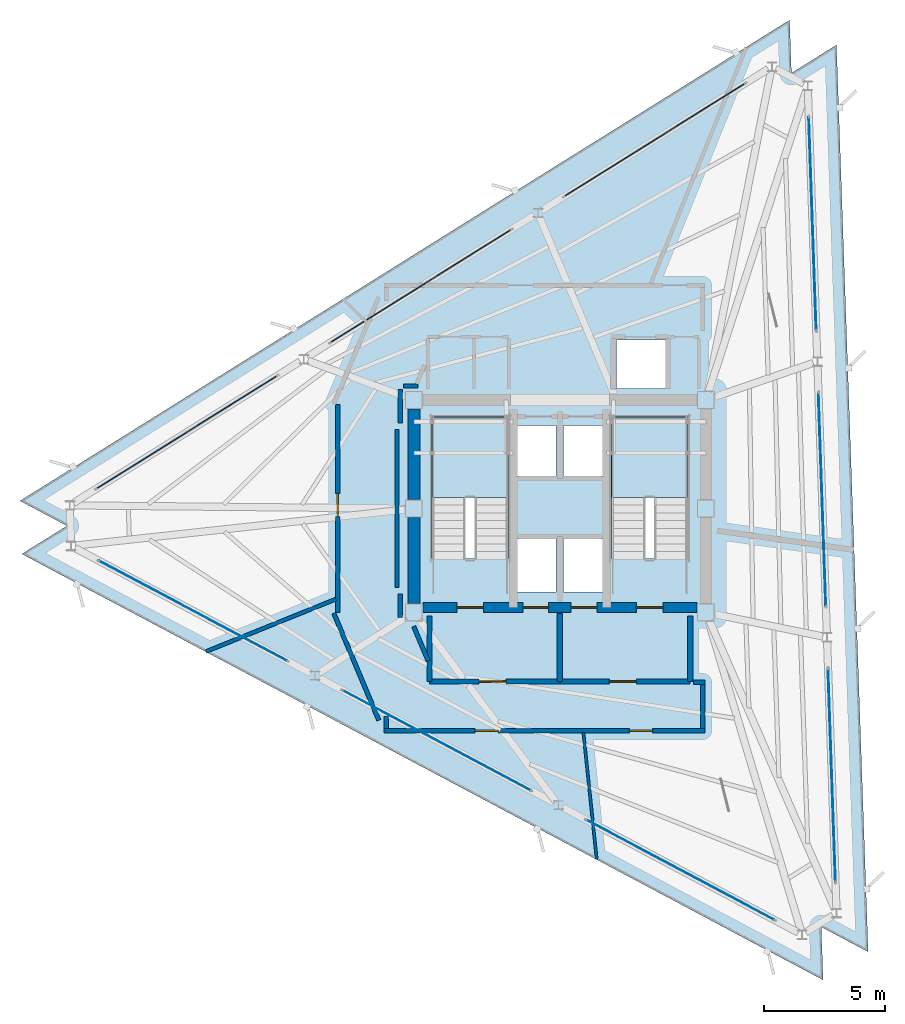
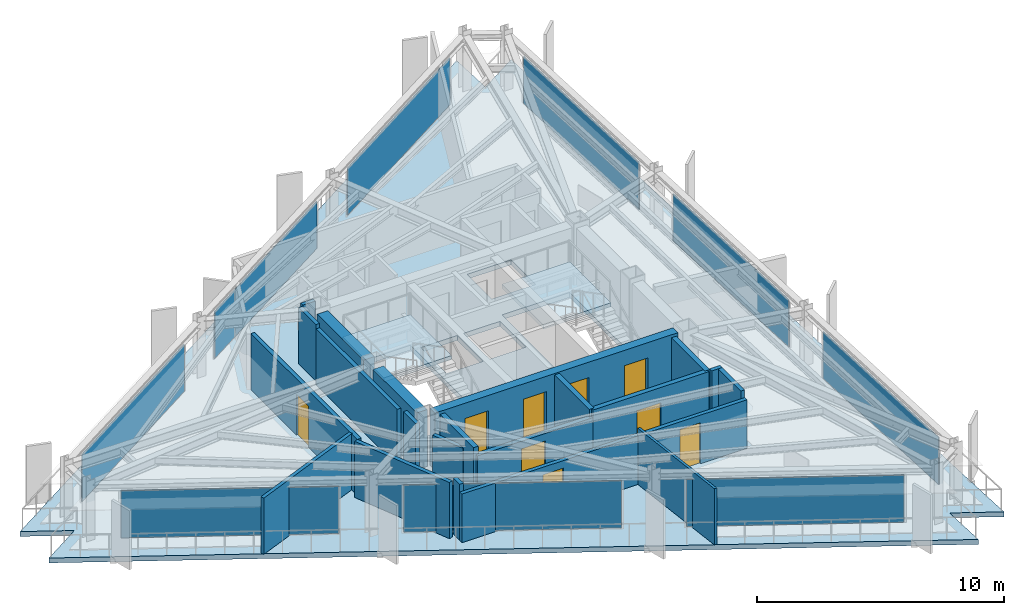
# One storey, part 8 of 12: 21 walls, 9 doors, 9 plates, 3 slabs, 9 openings, 11 elements without a shape of their own.
"""IFC4 building model written with IfcOpenShell, lengths in metres."""

import ifcopenshell
import ifcopenshell.guid

model = None  # the IFC model being written
_history = None  # IfcOwnerHistory: only IFC2X3 demands one
_inside = {}  # id of a spatial element -> (the spatial element, [elements in it])
_under = {}  # id of a project, library or spatial element -> (it, [spatial elements below it])
_declared = {}  # id of a project -> (the project, [libraries it declares])
_typed = {}  # id of a type object -> (the type object, [elements of that type])
_made_of = {}  # id of a material, layer set ... -> (it, [elements and type objects made of it])


def new_model(schema):
    """Start an empty IFC model of exactly this schema.

    Asked for "IFC4X3", IfcOpenShell would pick the latest addendum, in which some entities
    have other attributes; the version numbers below select the first issue.
    IFC2X3 requires an IfcOwnerHistory on every rooted entity: one is made here for all.
    """
    global model, _history
    if schema == "IFC4X3":
        model = ifcopenshell.file(schema_version=(4, 3, 0, 0))
    else:
        model = ifcopenshell.file(schema=schema)
    _inside.clear()
    _under.clear()
    _declared.clear()
    _typed.clear()
    _made_of.clear()
    _history = None
    if model.schema == "IFC2X3":
        org = make("IfcOrganization", Name="unknown")
        user = make(
            "IfcPersonAndOrganization",
            ThePerson=make("IfcPerson", FamilyName="unknown"),
            TheOrganization=org,
        )
        app = make(
            "IfcApplication",
            ApplicationDeveloper=org,
            Version="unknown",
            ApplicationFullName="unknown",
            ApplicationIdentifier="unknown",
        )
        _history = make(
            "IfcOwnerHistory",
            OwningUser=user,
            OwningApplication=app,
            ChangeAction="ADDED",
            CreationDate=0,
        )
    return model


def make(cls, **values):
    """One entity of the class cls with the attributes given. An attribute that is None is left unset."""
    return model.create_entity(
        cls, **{name: value for name, value in values.items() if value is not None}
    )


def rooted(cls, **values):
    """An entity with a GlobalId (a new one), such as an element, a storey or a relation."""
    return make(cls, GlobalId=ifcopenshell.guid.new(), OwnerHistory=_history, **values)


def si_unit(unit_type, name, prefix=None):
    """IfcSIUnit, for example si_unit("LENGTHUNIT", "METRE", prefix="MILLI")."""
    return make("IfcSIUnit", UnitType=unit_type, Prefix=prefix, Name=name)


def assignment(units):
    """IfcUnitAssignment: the units of a project."""
    return None if units is None else make("IfcUnitAssignment", Units=units)


def point(xyz):
    """IfcCartesianPoint."""
    return None if xyz is None else make("IfcCartesianPoint", Coordinates=xyz)


def direction(xyz):
    """IfcDirection."""
    return None if xyz is None else make("IfcDirection", DirectionRatios=xyz)


def frame(location, z_axis=None, x_axis=None):
    """IfcAxis2Placement3D, a coordinate frame: its origin and axes. An axis left out is left unset."""
    return make(
        "IfcAxis2Placement3D",
        Location=point(location),
        Axis=direction(z_axis),
        RefDirection=direction(x_axis),
    )


def frame_2d(location, x_axis=None):
    """IfcAxis2Placement2D, a coordinate frame in the plane: its origin and x axis."""
    return make(
        "IfcAxis2Placement2D", Location=point(location), RefDirection=direction(x_axis)
    )


def origin():
    """The frame at (0, 0, 0) with its axes left unset."""
    return frame((0.0, 0.0, 0.0))


def origin_2d():
    """The frame at (0, 0) in the plane with its x axis left unset."""
    return frame_2d((0.0, 0.0))


def place(relative_to, where):
    """IfcLocalPlacement: puts the frame where relative to a parent placement (None: the world)."""
    return make(
        "IfcLocalPlacement", PlacementRelTo=relative_to, RelativePlacement=where
    )


def context(
    kind, dimensions, precision=None, world=None, true_north=None, identifier=None
):
    """IfcGeometricRepresentationContext, for example the 3D "Model" context."""
    return make(
        "IfcGeometricRepresentationContext",
        ContextIdentifier=identifier,
        ContextType=kind,
        CoordinateSpaceDimension=dimensions,
        Precision=precision,
        WorldCoordinateSystem=world,
        TrueNorth=true_north,
    )


def subcontext(parent, identifier, kind, view, scale=None):
    """IfcGeometricRepresentationSubContext, for example "Body" below "Model"."""
    return make(
        "IfcGeometricRepresentationSubContext",
        ContextIdentifier=identifier,
        ContextType=kind,
        ParentContext=parent,
        TargetScale=scale,
        TargetView=view,
    )


def project(units=None, contexts=None):
    """IfcProject with its units and contexts."""
    return rooted(
        "IfcProject",
        Name="project",
        RepresentationContexts=contexts,
        UnitsInContext=assignment(units),
    )


def spatial(cls, under=None, at=None, **own):
    """A site, building, storey or space (cls), placed at a placement, below another one or the project."""
    s = rooted(cls, ObjectPlacement=at, **own)
    if under is not None:
        _under.setdefault(under.id(), (under, []))[1].append(s)
    return s


def polyline(points):
    """IfcPolyline through the points."""
    return make("IfcPolyline", Points=[point(p) for p in points])


def profile(cls, at=None, kind="AREA", **sizes):
    """A parametric profile (cls). Its sizes go by their IFC names, for example OverallWidth=200.0."""
    return make(cls, ProfileType=kind, Position=at, **sizes)


def rectangle(**sizes):
    """IfcRectangleProfileDef."""
    return profile("IfcRectangleProfileDef", **sizes)


def outline(outer, holes=None, kind="AREA"):
    """IfcArbitraryClosedProfileDef: a profile drawn as a closed curve; with holes, ...WithVoids."""
    if holes is None:
        return make("IfcArbitraryClosedProfileDef", ProfileType=kind, OuterCurve=outer)
    return make(
        "IfcArbitraryProfileDefWithVoids",
        ProfileType=kind,
        OuterCurve=outer,
        InnerCurves=holes,
    )


def extrude(swept, where, along, depth):
    """IfcExtrudedAreaSolid: the profile swept, set in the frame where, extruded along a direction by depth."""
    return make(
        "IfcExtrudedAreaSolid",
        SweptArea=swept,
        Position=where,
        ExtrudedDirection=direction(along),
        Depth=depth,
    )


def shape(context_of_items, identifier, shape_type, items):
    """IfcShapeRepresentation: the items that make up one representation, for example the "Body"."""
    return make(
        "IfcShapeRepresentation",
        ContextOfItems=context_of_items,
        RepresentationIdentifier=identifier,
        RepresentationType=shape_type,
        Items=items,
    )


def material(Name=None, Category=None):
    """IfcMaterial."""
    return make("IfcMaterial", Name=Name, Category=Category)


def layer(
    of_material, thickness, ventilated=None, Name=None, Category=None, Priority=None
):
    """IfcMaterialLayer: one layer of a wall or slab, of a material (None: an air gap)."""
    return make(
        "IfcMaterialLayer",
        Material=of_material,
        LayerThickness=thickness,
        IsVentilated=ventilated,
        Name=Name,
        Category=Category,
        Priority=Priority,
    )


def layer_set(layers, Name=None):
    """IfcMaterialLayerSet."""
    return make("IfcMaterialLayerSet", MaterialLayers=layers, LayerSetName=Name)


def made_of(thing, what):
    """Note that an element or type object is made of a material, layer set ...; save() writes the relation."""
    if what is not None:
        _made_of.setdefault(what.id(), (what, []))[1].append(thing)
    return thing


def type_object(cls, material=None, **own):
    """A type object (cls), such as IfcWallType, which elements share."""
    return made_of(rooted(cls, **own), material)


def element(
    cls,
    number,
    at=None,
    inside=None,
    cuts=None,
    type_object=None,
    material=None,
    context=None,
    identifier="Body",
    shape_type=None,
    held_by="IfcProductDefinitionShape",
    body=None,
    shapes=None,
    **own,
):
    """One element of the class cls, such as IfcWall. Its Tag is "e" and its number.

    at: its placement. inside: the storey or other place that contains it. cuts: it is an
    opening in that element (IfcRelVoidsElement). A single representation is given by context,
    identifier, shape_type and body (its items); several are given by shapes. held_by: the class
    of the entity that holds the representations. save() writes the other relations.
    """
    e = rooted(cls, Tag="e%d" % number, ObjectPlacement=at, **own)
    if body is not None:
        shapes = [shape(context, identifier, shape_type, body)]
    if shapes is not None:
        e.Representation = make(held_by, Representations=shapes)
    if inside is not None:
        _inside.setdefault(inside.id(), (inside, []))[1].append(e)
    if cuts is not None:
        rooted(
            "IfcRelVoidsElement", RelatingBuildingElement=cuts, RelatedOpeningElement=e
        )
    if type_object is not None:
        _typed.setdefault(type_object.id(), (type_object, []))[1].append(e)
    return made_of(e, material)


def fill(opening, filler):
    """IfcRelFillsElement: the door or window that sits in an opening."""
    return rooted(
        "IfcRelFillsElement",
        RelatingOpeningElement=opening,
        RelatedBuildingElement=filler,
    )


def aggregate(whole, parts):
    """IfcRelAggregates: a whole, such as a stair, and the parts it consists of."""
    return rooted("IfcRelAggregates", RelatingObject=whole, RelatedObjects=parts)


def save(model, path):
    """Write the relations noted so far, then the file.

    IfcRelAggregates (storeys below a building ...), IfcRelContainedInSpatialStructure (elements
    in a storey), IfcRelDefinesByType, IfcRelAssociatesMaterial and IfcRelDeclares: one each for
    every whole, place, type object, material and project.
    """
    for whole, parts in _under.values():
        aggregate(whole, parts)
    for where, things in _inside.values():
        rooted(
            "IfcRelContainedInSpatialStructure",
            RelatedElements=things,
            RelatingStructure=where,
        )
    for kind, things in _typed.values():
        rooted("IfcRelDefinesByType", RelatedObjects=things, RelatingType=kind)
    for what, things in _made_of.values():
        rooted("IfcRelAssociatesMaterial", RelatedObjects=things, RelatingMaterial=what)
    for by, libraries in _declared.values():
        rooted("IfcRelDeclares", RelatingContext=by, RelatedDefinitions=libraries)
    model.write(path)


model = new_model("IFC4")

# Units and contexts
model_context = context("Model", 3, precision=1e-05, world=origin(), true_north=direction((0.0, 1.0)))
body_context = subcontext(model_context, "Body", "Model", "MODEL_VIEW")
ifc_project = project(units=[si_unit("LENGTHUNIT", "METRE"), si_unit("AREAUNIT", "SQUARE_METRE"), si_unit("VOLUMEUNIT", "CUBIC_METRE"), si_unit("PLANEANGLEUNIT", "RADIAN"), si_unit("MASSUNIT", "GRAM", prefix="KILO")], contexts=[model_context])

# Site, building, storey
site_placement = place(None, origin())
site = spatial("IfcSite", under=ifc_project, at=site_placement, CompositionType="ELEMENT")
building_placement = place(site_placement, origin())
building = spatial("IfcBuilding", under=site, at=building_placement, Name="Rocaltana Carrier Exchange", CompositionType="ELEMENT")
storey_placement = place(building_placement, frame((0.0, 0.0, 205.760009765625)))
storey = spatial("IfcBuildingStorey", under=building, at=storey_placement, Name="L65", CompositionType="ELEMENT", Elevation=205.760009765625)

# Curtain wall, plate
ifc_material_1 = material(Name="Aluminium 6063-T6", Category="aluminium")
ifc_layer_1 = layer(ifc_material_1, 0.1201171875)
ifc_layer_set_1 = layer_set([ifc_layer_1], Name="Aluminium 6063-T6")
curtain_wall_type = type_object("IfcCurtainWallType", Name="High-Altitude Thermal Curtain Wall CW-05", PredefinedType="NOTDEFINED", material=ifc_layer_set_1)
curtain_wall_1_placement = place(storey_placement, origin())
curtain_wall_1 = element("IfcCurtainWall", 1, at=curtain_wall_1_placement, inside=storey, type_object=curtain_wall_type, Name="L65 CW-05 Run CW-L65-F1S1", PredefinedType="NOTDEFINED")
ifc_material_2 = material(Name="Tempered Laminated Glass", Category="glass")
ifc_layer_2 = layer(ifc_material_2, 0.035888671875)
ifc_layer_set_2 = layer_set([ifc_layer_2], Name="Tempered Laminated Glass")
plate_type = type_object("IfcPlateType", Name="CW-05 Stone-Insulated Vision Panel", PredefinedType="CURTAIN_PANEL", material=ifc_layer_set_2)
plate_1_placement = place(storey_placement, frame((11.266845703125, -11.046875, 0.06005859375), z_axis=(0.0, 0.0, 1.0), x_axis=(-0.034914127567, 0.999390315991, 0.0)))
plate_1 = element("IfcPlate", 2, at=plate_1_placement, type_object=plate_type, Name="CW-05 panel 1.1", PredefinedType="CURTAIN_PANEL", context=body_context, shape_type="SweptSolid", body=[
    extrude(rectangle(XDim=8.813232421875, YDim=0.035888671875, at=origin_2d()), origin(), (0.0, 0.0, 1.0), 2.327880859375),
])
aggregate(curtain_wall_1, [plate_1])

curtain_wall_2_placement = place(storey_placement, origin())
curtain_wall_2 = element("IfcCurtainWall", 3, at=curtain_wall_2_placement, inside=storey, type_object=curtain_wall_type, Name="L65 CW-05 Run CW-L65-F1S2", PredefinedType="NOTDEFINED")
plate_2_placement = place(storey_placement, frame((10.86767578125, 0.37939453125, 0.06005859375), z_axis=(0.0, 0.0, 1.0), x_axis=(-0.034902556738, 0.999390720156, 0.0)))
plate_2 = element("IfcPlate", 4, at=plate_2_placement, type_object=plate_type, Name="CW-05 panel 1.1", PredefinedType="CURTAIN_PANEL", context=body_context, shape_type="SweptSolid", body=[
    extrude(rectangle(XDim=8.8134765625, YDim=0.035888671875, at=origin_2d()), origin(), (0.0, 0.0, 1.0), 2.327880859375),
])
aggregate(curtain_wall_2, [plate_2])

curtain_wall_3_placement = place(storey_placement, origin())
curtain_wall_3 = element("IfcCurtainWall", 5, at=curtain_wall_3_placement, inside=storey, type_object=curtain_wall_type, Name="L65 CW-05 Run CW-L65-F1S3", PredefinedType="NOTDEFINED")
plate_3_placement = place(storey_placement, frame((10.46875, 11.805908203125, 0.06005859375), z_axis=(0.0, 0.0, 1.0), x_axis=(-0.034902556738, 0.999390720156, 0.0)))
plate_3 = element("IfcPlate", 6, at=plate_3_placement, type_object=plate_type, Name="CW-05 panel 1.1", PredefinedType="CURTAIN_PANEL", context=body_context, shape_type="SweptSolid", body=[
    extrude(rectangle(XDim=8.8134765625, YDim=0.035888671875, at=origin_2d()), origin(), (0.0, 0.0, 1.0), 2.327880859375),
])
aggregate(curtain_wall_3, [plate_3])

curtain_wall_4_placement = place(storey_placement, origin())
curtain_wall_4 = element("IfcCurtainWall", 7, at=curtain_wall_4_placement, inside=storey, type_object=curtain_wall_type, Name="L65 CW-05 Run CW-L65-F2S1", PredefinedType="NOTDEFINED")
plate_4_placement = place(storey_placement, frame((3.93359375, 15.28076171875, 0.06005859375), z_axis=(0.0, 0.0, 1.0), x_axis=(-0.848042322807, -0.529928503412, 0.0)))
plate_4 = element("IfcPlate", 8, at=plate_4_placement, type_object=plate_type, Name="CW-05 panel 1.1", PredefinedType="CURTAIN_PANEL", context=body_context, shape_type="SweptSolid", body=[
    extrude(rectangle(XDim=8.813232421875, YDim=0.035888671875, at=origin_2d()), origin(), (0.0, 0.0, 1.0), 2.327880859375),
])
aggregate(curtain_wall_4, [plate_4])

curtain_wall_5_placement = place(storey_placement, origin())
curtain_wall_5 = element("IfcCurtainWall", 9, at=curtain_wall_5_placement, inside=storey, type_object=curtain_wall_type, Name="L65 CW-05 Run CW-L65-F2S2", PredefinedType="NOTDEFINED")
plate_5_placement = place(storey_placement, frame((-5.762451171875, 9.221923828125, 0.06005859375), z_axis=(0.0, 0.0, 1.0), x_axis=(-0.848047353446, -0.529920452816, 0.0)))
plate_5 = element("IfcPlate", 10, at=plate_5_placement, type_object=plate_type, Name="CW-05 panel 1.1", PredefinedType="CURTAIN_PANEL", context=body_context, shape_type="SweptSolid", body=[
    extrude(rectangle(XDim=8.813232421875, YDim=0.035888671875, at=origin_2d()), origin(), (0.0, 0.0, 1.0), 2.327880859375),
])
aggregate(curtain_wall_5, [plate_5])

curtain_wall_6_placement = place(storey_placement, origin())
curtain_wall_6 = element("IfcCurtainWall", 11, at=curtain_wall_6_placement, inside=storey, type_object=curtain_wall_type, Name="L65 CW-05 Run CW-L65-F2S3", PredefinedType="NOTDEFINED")
plate_6_placement = place(storey_placement, frame((-15.45849609375, 3.163330078125, 0.06005859375), z_axis=(0.0, 0.0, 1.0), x_axis=(-0.848050496896, -0.529915422228, 0.0)))
plate_6 = element("IfcPlate", 12, at=plate_6_placement, type_object=plate_type, Name="CW-05 panel 1.1", PredefinedType="CURTAIN_PANEL", context=body_context, shape_type="SweptSolid", body=[
    extrude(rectangle(XDim=8.813232421875, YDim=0.035888671875, at=origin_2d()), origin(), (0.0, 0.0, 1.0), 2.327880859375),
])
aggregate(curtain_wall_6, [plate_6])

curtain_wall_7_placement = place(storey_placement, origin())
curtain_wall_7 = element("IfcCurtainWall", 13, at=curtain_wall_7_placement, inside=storey, type_object=curtain_wall_type, Name="L65 CW-05 Run CW-L65-F3S1", PredefinedType="NOTDEFINED")
plate_7_placement = place(storey_placement, frame((-15.2001953125, -4.23388671875, 0.06005859375), z_axis=(0.0, 0.0, 1.0), x_axis=(0.882941304732, -0.469483388841, 0.0)))
plate_7 = element("IfcPlate", 14, at=plate_7_placement, type_object=plate_type, Name="CW-05 panel 1.1", PredefinedType="CURTAIN_PANEL", context=body_context, shape_type="SweptSolid", body=[
    extrude(rectangle(XDim=8.8134765625, YDim=0.035888671875, at=origin_2d()), origin(), (0.0, 0.0, 1.0), 2.327880859375),
])
aggregate(curtain_wall_7, [plate_7])

curtain_wall_8_placement = place(storey_placement, origin())
curtain_wall_8 = element("IfcCurtainWall", 15, at=curtain_wall_8_placement, inside=storey, type_object=curtain_wall_type, Name="L65 CW-05 Run CW-L65-F3S2", PredefinedType="NOTDEFINED")
plate_8_placement = place(storey_placement, frame((-5.105224609375, -9.6015625, 0.06005859375), z_axis=(0.0, 0.0, 1.0), x_axis=(0.882943477624, -0.469479302335, 0.0)))
plate_8 = element("IfcPlate", 16, at=plate_8_placement, type_object=plate_type, Name="CW-05 panel 1.1", PredefinedType="CURTAIN_PANEL", context=body_context, shape_type="SweptSolid", body=[
    extrude(rectangle(XDim=8.813232421875, YDim=0.035888671875, at=origin_2d()), origin(), (0.0, 0.0, 1.0), 2.327880859375),
])
aggregate(curtain_wall_8, [plate_8])

curtain_wall_9_placement = place(storey_placement, origin())
curtain_wall_9 = element("IfcCurtainWall", 17, at=curtain_wall_9_placement, inside=storey, type_object=curtain_wall_type, Name="L65 CW-05 Run CW-L65-F3S3", PredefinedType="NOTDEFINED")
plate_9_placement = place(storey_placement, frame((4.98974609375, -14.968994140625, 0.06005859375), z_axis=(0.0, 0.0, 1.0), x_axis=(0.882945944879, -0.469474662173, 0.0)))
plate_9 = element("IfcPlate", 18, at=plate_9_placement, type_object=plate_type, Name="CW-05 panel 1.1", PredefinedType="CURTAIN_PANEL", context=body_context, shape_type="SweptSolid", body=[
    extrude(rectangle(XDim=8.8134765625, YDim=0.035888671875, at=origin_2d()), origin(), (0.0, 0.0, 1.0), 2.327880859375),
])
aggregate(curtain_wall_9, [plate_9])

# Slab
ifc_material_3 = material(Name="Concrete C50/60", Category="concrete")
ifc_layer_3 = layer(ifc_material_3, 0.239990234375)
ifc_layer_set_3 = layer_set([ifc_layer_3], Name="Concrete C50/60")
slab_type_1 = type_object("IfcSlabType", Name="High-Zone Tower Slab 240", PredefinedType="FLOOR", material=ifc_layer_set_3)
slab_1_placement = place(storey_placement, frame((0.0, 0.0, -0.239990234375)))
element("IfcSlab", 19, at=slab_1_placement, inside=storey, type_object=slab_type_1, Name="L65 Structural Floor Slab", PredefinedType="FLOOR", context=body_context, shape_type="SweptSolid", body=[
    extrude(outline(polyline([(10.907470703125, -19.53125), (10.83056640625, -17.33251953125), (12.773193359375, -18.365478515625), (11.4609375, 19.211669921875), (9.59521484375, 18.0458984375), (9.518310546875, 20.244384765625), (-22.3681640625, 0.319580078125), (-20.42578125, -0.71337890625), (-22.29150390625, -1.879150390625), (10.907470703125, -19.53125)]), holes=[polyline([(-5.300048828125, -2.06005859375), (-2.139892578125, -2.06005859375), (-2.139892578125, 3.800048828125), (-5.300048828125, 3.800048828125), (-5.300048828125, -2.06005859375)]), polyline([(2.139892578125, -2.06005859375), (5.300048828125, -2.06005859375), (5.300048828125, 3.800048828125), (2.139892578125, 3.800048828125), (2.139892578125, -2.06005859375)]), polyline([(-1.85009765625, -3.449951171875), (-0.14990234375, -3.449951171875), (-0.14990234375, -1.25), (-1.85009765625, -1.25), (-1.85009765625, -3.449951171875)]), polyline([(0.14990234375, -3.449951171875), (1.85009765625, -3.449951171875), (1.85009765625, -1.25), (0.14990234375, -1.25), (0.14990234375, -3.449951171875)]), polyline([(2.35009765625, 4.97998046875), (4.39990234375, 4.97998046875), (4.39990234375, 6.97998046875), (2.35009765625, 6.97998046875), (2.35009765625, 4.97998046875)]), polyline([(-1.85009765625, 1.35009765625), (-0.14990234375, 1.35009765625), (-0.14990234375, 3.449951171875), (-1.85009765625, 3.449951171875), (-1.85009765625, 1.35009765625)]), polyline([(0.14990234375, 1.35009765625), (1.85009765625, 1.35009765625), (1.85009765625, 3.449951171875), (0.14990234375, 3.449951171875), (0.14990234375, 1.35009765625)])]), origin(), (0.0, 0.0, 1.0), 0.239990234375),
])

# Stair, slab
ifc_material_4 = material(Name="Precast concrete C45/55", Category="concrete")
stair_type = type_object("IfcStairType", Name="Standard Dog-Leg Stair 160", PredefinedType="HALF_TURN_STAIR", material=ifc_material_4)
stair_1_placement = place(storey_placement, origin())
stair_1 = element("IfcStair", 20, at=stair_1_placement, inside=storey, type_object=stair_type, Name="L65 Core West Exit Stair ST-1", PredefinedType="HALF_TURN_STAIR")
ifc_material_5 = material(Name="Precast concrete C45/55", Category="concrete")
ifc_layer_4 = layer(ifc_material_5, 0.199951171875)
ifc_layer_set_4 = layer_set([ifc_layer_4], Name="Precast concrete C45/55")
slab_type_2 = type_object("IfcSlabType", Name="Precast Stair Half-Landing 200", PredefinedType="LANDING", material=ifc_layer_set_4)
slab_2_placement = place(storey_placement, frame((0.0, 0.0, 1.320068359375)))
slab_2 = element("IfcSlab", 21, at=slab_2_placement, type_object=slab_type_2, Name="ST-1 landing 1", PredefinedType="LANDING", context=body_context, shape_type="SweptSolid", body=[
    extrude(outline(polyline([(-2.139892578125, 0.4599609375), (-2.139892578125, 3.800048828125), (-5.300048828125, 3.800048828125), (-5.300048828125, 0.4599609375), (-2.139892578125, 0.4599609375)])), origin(), (0.0, 0.0, 1.0), 0.199951171875),
])
aggregate(stair_1, [slab_2])

stair_2_placement = place(storey_placement, origin())
stair_2 = element("IfcStair", 22, at=stair_2_placement, inside=storey, type_object=stair_type, Name="L65 Core East Exit Stair ST-2", PredefinedType="HALF_TURN_STAIR")
slab_3_placement = place(storey_placement, frame((0.0, 0.0, 1.320068359375)))
slab_3 = element("IfcSlab", 23, at=slab_3_placement, type_object=slab_type_2, Name="ST-2 landing 1", PredefinedType="LANDING", context=body_context, shape_type="SweptSolid", body=[
    extrude(outline(polyline([(5.300048828125, 0.4599609375), (5.300048828125, 3.800048828125), (2.139892578125, 3.800048828125), (2.139892578125, 0.4599609375), (5.300048828125, 0.4599609375)])), origin(), (0.0, 0.0, 1.0), 0.199951171875),
])
aggregate(stair_2, [slab_3])

# Wall
ifc_material_6 = material(Name="Double Acoustic Gypsum Partition", Category="gypsum")
ifc_layer_5 = layer(ifc_material_6, 0.159912109375)
ifc_layer_set_5 = layer_set([ifc_layer_5], Name="Double Acoustic Gypsum Partition")
wall_type_1 = type_object("IfcWallType", Name="Acoustic Studio Partition 160 EI60", PredefinedType="PARTITIONING", material=ifc_layer_set_5)
wall_1_placement = place(storey_placement, frame((-9.280029296875, -3.74951171875, 0.0), z_axis=(0.0, 0.0, 1.0), x_axis=(-0.927192124848, -0.374586123102, 0.0)))
element("IfcWall", 24, at=wall_1_placement, inside=storey, type_object=wall_type_1, Name="L65 Suite Divider Wall D1", PredefinedType="PARTITIONING", context=body_context, shape_type="SweptSolid", body=[
    extrude(rectangle(XDim=5.80517578125, YDim=0.159912109375, at=frame_2d((2.902587890625, 0.0))), origin(), (0.0, 0.0, 1.0), 2.77294921875),
])

# Wall, openings, doors
ifc_material_7 = material(Name="Concrete C50/60", Category="concrete")
ifc_layer_6 = layer(ifc_material_7, 0.39990234375)
ifc_layer_set_6 = layer_set([ifc_layer_6], Name="Concrete C50/60")
wall_type_2 = type_object("IfcWallType", Name="Core Internal Shear Wall 400", PredefinedType="SHEAR", material=ifc_layer_set_6)
wall_2_placement = place(storey_placement, frame((-5.675048828125, -4.10009765625, 0.0), z_axis=(0.0, 0.0, 1.0), x_axis=(1.0, 0.0, 0.0)))
wall_2 = element("IfcWall", 25, at=wall_2_placement, inside=storey, type_object=wall_type_2, Name="L65 Core Shear Wall CW-S", PredefinedType="SHEAR", context=body_context, shape_type="SweptSolid", body=[
    extrude(rectangle(XDim=11.35009765625, YDim=0.39990234375, at=frame_2d((5.675048828125, 0.0))), origin(), (0.0, 0.0, 1.0), 2.798095703125),
])
opening_1_placement = place(wall_2_placement, frame((1.405029296875, 0.0, 0.0)))
opening_1 = element("IfcOpeningElement", 26, at=opening_1_placement, cuts=wall_2, Name="Opening D-ST110", PredefinedType="OPENING", context=body_context, shape_type="SweptSolid", body=[
    extrude(rectangle(XDim=1.10009765625, YDim=2.0400390625, at=frame_2d((0.550048828125, 1.02001953125))), frame((0.0, 0.2099609375, 0.0), z_axis=(0.0, -1.0, 0.0), x_axis=(1.0, 0.0, 0.0)), (0.0, 0.0, 1.0), 0.419921875),
])
opening_2_placement = place(wall_2_placement, frame((8.844970703125, 0.0, 0.0)))
opening_2 = element("IfcOpeningElement", 27, at=opening_2_placement, cuts=wall_2, Name="Opening D-ST110", PredefinedType="OPENING", context=body_context, shape_type="SweptSolid", body=[
    extrude(rectangle(XDim=1.10009765625, YDim=2.0400390625, at=frame_2d((0.550048828125, 1.02001953125))), frame((0.0, 0.2099609375, 0.0), z_axis=(0.0, -1.0, 0.0), x_axis=(1.0, 0.0, 0.0)), (0.0, 0.0, 1.0), 0.419921875),
])
opening_3_placement = place(wall_2_placement, frame((4.14501953125, 0.0, 0.0)))
opening_3 = element("IfcOpeningElement", 28, at=opening_3_placement, cuts=wall_2, Name="Opening LD-110", PredefinedType="OPENING", context=body_context, shape_type="SweptSolid", body=[
    extrude(rectangle(XDim=1.06005859375, YDim=2.0400390625, at=frame_2d((0.530029296875, 1.02001953125))), frame((0.0, 0.2099609375, 0.0), z_axis=(0.0, -1.0, 0.0), x_axis=(1.0, 0.0, 0.0)), (0.0, 0.0, 1.0), 0.419921875),
])
opening_4_placement = place(wall_2_placement, frame((6.14501953125, 0.0, 0.0)))
opening_4 = element("IfcOpeningElement", 29, at=opening_4_placement, cuts=wall_2, Name="Opening LD-110", PredefinedType="OPENING", context=body_context, shape_type="SweptSolid", body=[
    extrude(rectangle(XDim=1.06005859375, YDim=2.0400390625, at=frame_2d((0.530029296875, 1.02001953125))), frame((0.0, 0.2099609375, 0.0), z_axis=(0.0, -1.0, 0.0), x_axis=(1.0, 0.0, 0.0)), (0.0, 0.0, 1.0), 0.419921875),
])
ifc_material_8 = material(Name="Hollow Metal Fire Door Assembly", Category="steel")
door_type_1 = type_object("IfcDoorType", Name="Exit Stair Fire Door 1100x2040 FD90S", OperationType="NOTDEFINED", PredefinedType="DOOR", material=ifc_material_8)
door_1_placement = place(opening_1_placement, origin())
door_1 = element("IfcDoor", 30, at=door_1_placement, inside=storey, type_object=door_type_1, Name="L65 Exit Stair ST1 Fire Door", OperationType="SINGLE_SWING_RIGHT", OverallHeight=2.0400390625, OverallWidth=1.10009765625, PredefinedType="DOOR", context=body_context, shape_type="SweptSolid", body=[
    extrude(rectangle(XDim=1.10009765625, YDim=2.0400390625, at=frame_2d((0.550048828125, 1.02001953125))), frame((0.0, 0.02490234375, 0.0), z_axis=(0.0, -1.0, 0.0), x_axis=(1.0, 0.0, 0.0)), (0.0, 0.0, 1.0), 0.050048828125),
])
fill(opening_1, door_1)
door_2_placement = place(opening_2_placement, origin())
door_2 = element("IfcDoor", 31, at=door_2_placement, inside=storey, type_object=door_type_1, Name="L65 Exit Stair ST2 Fire Door", OperationType="SINGLE_SWING_LEFT", OverallHeight=2.0400390625, OverallWidth=1.10009765625, PredefinedType="DOOR", context=body_context, shape_type="SweptSolid", body=[
    extrude(rectangle(XDim=1.10009765625, YDim=2.0400390625, at=frame_2d((0.550048828125, 1.02001953125))), frame((0.0, 0.02490234375, 0.0), z_axis=(0.0, -1.0, 0.0), x_axis=(1.0, 0.0, 0.0)), (0.0, 0.0, 1.0), 0.050048828125),
])
fill(opening_2, door_2)
ifc_material_9 = material(Name="Brushed Stainless Sliding Door Leaf", Category="steel")
door_type_2 = type_object("IfcDoorType", Name="Lift Landing Sliding Door 1060x2040", OperationType="NOTDEFINED", PredefinedType="DOOR", material=ifc_material_9)
door_3_placement = place(opening_3_placement, origin())
door_3 = element("IfcDoor", 32, at=door_3_placement, inside=storey, type_object=door_type_2, Name="L65 Firefighting Lift FFL1 Landing Door", OperationType="SLIDING_TO_LEFT", OverallHeight=2.0400390625, OverallWidth=1.06005859375, PredefinedType="DOOR", context=body_context, shape_type="SweptSolid", body=[
    extrude(rectangle(XDim=1.06005859375, YDim=2.0400390625, at=frame_2d((0.530029296875, 1.02001953125))), frame((0.0, 0.02490234375, 0.0), z_axis=(0.0, -1.0, 0.0), x_axis=(1.0, 0.0, 0.0)), (0.0, 0.0, 1.0), 0.050048828125),
])
fill(opening_3, door_3)
door_4_placement = place(opening_4_placement, origin())
door_4 = element("IfcDoor", 33, at=door_4_placement, inside=storey, type_object=door_type_2, Name="L65 Firefighting Lift FFL2 Landing Door", OperationType="SLIDING_TO_RIGHT", OverallHeight=2.0400390625, OverallWidth=1.06005859375, PredefinedType="DOOR", context=body_context, shape_type="SweptSolid", body=[
    extrude(rectangle(XDim=1.06005859375, YDim=2.0400390625, at=frame_2d((0.530029296875, 1.02001953125))), frame((0.0, 0.02490234375, 0.0), z_axis=(0.0, -1.0, 0.0), x_axis=(1.0, 0.0, 0.0)), (0.0, 0.0, 1.0), 0.050048828125),
])
fill(opening_4, door_4)

# Walls
ifc_material_10 = material(Name="Concrete C50/60", Category="concrete")
ifc_layer_7 = layer(ifc_material_10, 0.5)
ifc_layer_set_7 = layer_set([ifc_layer_7], Name="Concrete C50/60")
wall_type_3 = type_object("IfcWallType", Name="Core Shear Wall 500", PredefinedType="SHEAR", material=ifc_layer_set_7)
wall_3_placement = place(storey_placement, frame((-6.050048828125, 0.375, 0.0), z_axis=(0.0, 0.0, 1.0), x_axis=(0.0, 1.0, 0.0)))
element("IfcWall", 34, at=wall_3_placement, inside=storey, type_object=wall_type_3, Name="L65 Core Shear Wall CW-WN", PredefinedType="SHEAR", context=body_context, shape_type="SweptSolid", body=[
    extrude(rectangle(XDim=3.75, YDim=0.5, at=frame_2d((1.875, 0.0))), origin(), (0.0, 0.0, 1.0), 2.798095703125),
])
wall_4_placement = place(storey_placement, frame((-6.050048828125, -3.925048828125, 0.0), z_axis=(0.0, 0.0, 1.0), x_axis=(0.0, 1.0, 0.0)))
element("IfcWall", 35, at=wall_4_placement, inside=storey, type_object=wall_type_3, Name="L65 Core Shear Wall CW-WS", PredefinedType="SHEAR", context=body_context, shape_type="SweptSolid", body=[
    extrude(rectangle(XDim=3.550048828125, YDim=0.5, at=frame_2d((1.77490234375, 0.0))), origin(), (0.0, 0.0, 1.0), 2.798095703125),
])
ifc_material_11 = material(Name="Gypsum & Steel Stud Partition", Category="steel")
ifc_layer_8 = layer(ifc_material_11, 0.179931640625)
ifc_layer_set_8 = layer_set([ifc_layer_8], Name="Gypsum & Steel Stud Partition")
wall_type_4 = type_object("IfcWallType", Name="Corridor Fire Partition 180 EI60", PredefinedType="PARTITIONING", material=ifc_layer_set_8)
wall_5_placement = place(storey_placement, frame((-7.501220703125, -8.768798828125, 0.0), z_axis=(0.0, 0.0, 1.0), x_axis=(-0.387573945081, 0.921838617706, 0.0)))
element("IfcWall", 36, at=wall_5_placement, inside=storey, type_object=wall_type_4, Name="L65 Corridor Partition 1", PredefinedType="PARTITIONING", context=body_context, shape_type="SweptSolid", body=[
    extrude(rectangle(XDim=4.813232421875, YDim=0.179931640625, at=frame_2d((2.40673828125, 0.0))), origin(), (0.0, 0.0, 1.0), 2.77294921875),
])

# Wall, opening, door
wall_6_placement = place(storey_placement, frame((-9.199951171875, -4.303466796875, 0.0), z_axis=(0.0, 0.0, 1.0), x_axis=(0.0, 1.0, 0.0)))
wall_6 = element("IfcWall", 37, at=wall_6_placement, inside=storey, type_object=wall_type_4, Name="L65 Corridor Partition 2", PredefinedType="PARTITIONING", context=body_context, shape_type="SweptSolid", body=[
    extrude(rectangle(XDim=8.60693359375, YDim=0.179931640625, at=frame_2d((4.303466796875, 0.0))), origin(), (0.0, 0.0, 1.0), 2.77294921875),
])
opening_5_placement = place(wall_6_placement, frame((3.97119140625, 0.0, 0.0)))
opening_5 = element("IfcOpeningElement", 38, at=opening_5_placement, cuts=wall_6, Name="Opening D-RM098", PredefinedType="OPENING", context=body_context, shape_type="SweptSolid", body=[
    extrude(rectangle(XDim=0.9599609375, YDim=2.02001953125, at=frame_2d((0.47998046875, 1.010009765625))), frame((0.0, 0.099853515625, 0.0), z_axis=(0.0, -1.0, 0.0), x_axis=(1.0, 0.0, 0.0)), (0.0, 0.0, 1.0), 0.199951171875),
])
ifc_material_12 = material(Name="Engineered Hardwood Timber", Category="wood")
door_type_3 = type_object("IfcDoorType", Name="Workspace Single Door 960x2020", OperationType="NOTDEFINED", PredefinedType="DOOR", material=ifc_material_12)
door_5_placement = place(opening_5_placement, origin())
door_5 = element("IfcDoor", 39, at=door_5_placement, inside=storey, type_object=door_type_3, Name="L65 Quiet Focus Lounge Entrance Door", OperationType="SINGLE_SWING_LEFT", OverallHeight=2.02001953125, OverallWidth=0.9599609375, PredefinedType="DOOR", context=body_context, shape_type="SweptSolid", body=[
    extrude(rectangle(XDim=0.9599609375, YDim=2.02001953125, at=frame_2d((0.47998046875, 1.010009765625))), frame((0.0, 0.02490234375, 0.0), z_axis=(0.0, -1.0, 0.0), x_axis=(1.0, 0.0, 0.0)), (0.0, 0.0, 1.0), 0.050048828125),
])
fill(opening_5, door_5)

# Walls
wall_7_placement = place(storey_placement, frame((-5.88134765625, 5.080078125, 0.0), z_axis=(0.0, 0.0, 1.0), x_axis=(-1.0, 0.0, 0.0)))
element("IfcWall", 40, at=wall_7_placement, inside=storey, type_object=wall_type_4, Name="L65 Corridor Partition 9", PredefinedType="PARTITIONING", context=body_context, shape_type="SweptSolid", body=[
    extrude(rectangle(XDim=0.588623046875, YDim=0.179931640625, at=frame_2d((0.29443359375, 0.0))), origin(), (0.0, 0.0, 1.0), 2.77294921875),
])
wall_8_placement = place(storey_placement, frame((-6.610107421875, 4.93994140625, 0.0), z_axis=(0.0, 0.0, 1.0), x_axis=(0.0, -1.0, 0.0)))
element("IfcWall", 41, at=wall_8_placement, inside=storey, type_object=wall_type_4, Name="L65 Corridor Partition 10", PredefinedType="PARTITIONING", context=body_context, shape_type="SweptSolid", body=[
    extrude(rectangle(XDim=1.398681640625, YDim=0.179931640625, at=frame_2d((0.69921875, 0.0))), origin(), (0.0, 0.0, 1.0), 2.77294921875),
])
wall_9_placement = place(storey_placement, frame((-6.75, 3.2734375, 0.0), z_axis=(0.0, 0.0, 1.0), x_axis=(0.0, -1.0, 0.0)))
element("IfcWall", 42, at=wall_9_placement, inside=storey, type_object=wall_type_4, Name="L65 Corridor Partition 11", PredefinedType="PARTITIONING", context=body_context, shape_type="SweptSolid", body=[
    extrude(rectangle(XDim=6.546875, YDim=0.179931640625, at=frame_2d((3.2734375, 0.0))), origin(), (0.0, 0.0, 1.0), 2.77294921875),
])
wall_10_placement = place(storey_placement, frame((-6.610107421875, -3.541259765625, 0.0), z_axis=(0.0, 0.0, 1.0), x_axis=(0.0, -1.0, 0.0)))
element("IfcWall", 43, at=wall_10_placement, inside=storey, type_object=wall_type_4, Name="L65 Corridor Partition 12", PredefinedType="PARTITIONING", context=body_context, shape_type="SweptSolid", body=[
    extrude(rectangle(XDim=0.978759765625, YDim=0.179931640625, at=frame_2d((0.4892578125, 0.0))), origin(), (0.0, 0.0, 1.0), 2.77294921875),
])
wall_11_placement = place(storey_placement, frame((-6.0546875, -4.881591796875, 0.0), z_axis=(0.0, 0.0, 1.0), x_axis=(0.387579540458, -0.921836265189, 0.0)))
element("IfcWall", 44, at=wall_11_placement, inside=storey, type_object=wall_type_4, Name="L65 Corridor Partition 13", PredefinedType="PARTITIONING", context=body_context, shape_type="SweptSolid", body=[
    extrude(rectangle(XDim=1.5546875, YDim=0.179931640625, at=frame_2d((0.77734375, 0.0))), origin(), (0.0, 0.0, 1.0), 2.2529296875),
])
wall_12_placement = place(storey_placement, frame((5.530029296875, -7.199951171875, 0.0), z_axis=(0.0, 0.0, 1.0), x_axis=(1.0, 0.0, 0.0)))
element("IfcWall", 45, at=wall_12_placement, inside=storey, type_object=wall_type_4, Name="L65 Corridor Partition 14", PredefinedType="PARTITIONING", context=body_context, shape_type="SweptSolid", body=[
    extrude(rectangle(XDim=0.47998046875, YDim=0.179931640625, at=frame_2d((0.239990234375, 0.0))), origin(), (0.0, 0.0, 1.0), 2.77294921875),
])
wall_13_placement = place(storey_placement, frame((5.919921875, -7.2900390625, 0.0), z_axis=(0.0, 0.0, 1.0), x_axis=(0.0, -1.0, 0.0)))
element("IfcWall", 46, at=wall_13_placement, inside=storey, type_object=wall_type_4, Name="L65 Corridor Partition 15", PredefinedType="PARTITIONING", context=body_context, shape_type="SweptSolid", body=[
    extrude(rectangle(XDim=1.820068359375, YDim=0.179931640625, at=frame_2d((0.91015625, 0.0))), origin(), (0.0, 0.0, 1.0), 2.77294921875),
])

# Wall, openings, doors
wall_14_placement = place(storey_placement, frame((6.010009765625, -9.199951171875, 0.0), z_axis=(0.0, 0.0, 1.0), x_axis=(-1.0, 0.0, 0.0)))
wall_14 = element("IfcWall", 47, at=wall_14_placement, inside=storey, type_object=wall_type_4, Name="L65 Corridor Partition 16", PredefinedType="PARTITIONING", context=body_context, shape_type="SweptSolid", body=[
    extrude(rectangle(XDim=13.300048828125, YDim=0.179931640625, at=frame_2d((6.64990234375, 0.0))), origin(), (0.0, 0.0, 1.0), 2.39501953125),
])
opening_6_placement = place(wall_14_placement, frame((8.557373046875, 0.0, 0.0)))
opening_6 = element("IfcOpeningElement", 48, at=opening_6_placement, cuts=wall_14, Name="Opening D-RM098", PredefinedType="OPENING", context=body_context, shape_type="SweptSolid", body=[
    extrude(rectangle(XDim=0.9599609375, YDim=2.02001953125, at=frame_2d((0.47998046875, 1.010009765625))), frame((0.0, 0.099853515625, 0.0), z_axis=(0.0, -1.0, 0.0), x_axis=(1.0, 0.0, 0.0)), (0.0, 0.0, 1.0), 0.199951171875),
])
opening_7_placement = place(wall_14_placement, frame((2.167236328125, 0.0, 0.0)))
opening_7 = element("IfcOpeningElement", 49, at=opening_7_placement, cuts=wall_14, Name="Opening D-RM098", PredefinedType="OPENING", context=body_context, shape_type="SweptSolid", body=[
    extrude(rectangle(XDim=0.9599609375, YDim=2.02001953125, at=frame_2d((0.47998046875, 1.010009765625))), frame((0.0, 0.099853515625, 0.0), z_axis=(0.0, -1.0, 0.0), x_axis=(1.0, 0.0, 0.0)), (0.0, 0.0, 1.0), 0.199951171875),
])
door_6_placement = place(opening_6_placement, origin())
door_6 = element("IfcDoor", 50, at=door_6_placement, inside=storey, type_object=door_type_3, Name="L65 Quiet Focus Lounge Entrance Door", OperationType="SINGLE_SWING_LEFT", OverallHeight=2.02001953125, OverallWidth=0.9599609375, PredefinedType="DOOR", context=body_context, shape_type="SweptSolid", body=[
    extrude(rectangle(XDim=0.9599609375, YDim=2.02001953125, at=frame_2d((0.47998046875, 1.010009765625))), frame((0.0, 0.02490234375, 0.0), z_axis=(0.0, -1.0, 0.0), x_axis=(1.0, 0.0, 0.0)), (0.0, 0.0, 1.0), 0.050048828125),
])
fill(opening_6, door_6)
door_7_placement = place(opening_7_placement, origin())
door_7 = element("IfcDoor", 51, at=door_7_placement, inside=storey, type_object=door_type_3, Name="L65 Quiet Focus Lounge Entrance Door", OperationType="SINGLE_SWING_RIGHT", OverallHeight=2.02001953125, OverallWidth=0.9599609375, PredefinedType="DOOR", context=body_context, shape_type="SweptSolid", body=[
    extrude(rectangle(XDim=0.9599609375, YDim=2.02001953125, at=frame_2d((0.47998046875, 1.010009765625))), frame((0.0, 0.02490234375, 0.0), z_axis=(0.0, -1.0, 0.0), x_axis=(1.0, 0.0, 0.0)), (0.0, 0.0, 1.0), 0.050048828125),
])
fill(opening_7, door_7)

# Walls
wall_15_placement = place(storey_placement, frame((-7.199951171875, -9.110107421875, 0.0), z_axis=(0.0, 0.0, 1.0), x_axis=(0.0, 1.0, 0.0)))
element("IfcWall", 52, at=wall_15_placement, inside=storey, type_object=wall_type_4, Name="L65 Corridor Partition 17", PredefinedType="PARTITIONING", context=body_context, shape_type="SweptSolid", body=[
    extrude(rectangle(XDim=0.509521484375, YDim=0.179931640625, at=frame_2d((0.2548828125, 0.0))), origin(), (0.0, 0.0, 1.0), 2.77294921875),
])
ifc_material_13 = material(Name="Aluminium 6063-T6 & Acoustic Glass", Category="aluminium")
ifc_layer_9 = layer(ifc_material_13, 0.114990234375)
ifc_layer_set_9 = layer_set([ifc_layer_9], Name="Aluminium 6063-T6 & Acoustic Glass")
wall_type_5 = type_object("IfcWallType", Name="Demountable Glazed Lab Partition 115", PredefinedType="MOVABLE", material=ifc_layer_set_9)
wall_16_placement = place(storey_placement, frame((0.975341796875, -9.280029296875, 0.0), z_axis=(0.0, 0.0, 1.0), x_axis=(0.104518746602, -0.994522916583, 0.0)))
element("IfcWall", 53, at=wall_16_placement, inside=storey, type_object=wall_type_5, Name="L65 Suite Divider Wall D2", PredefinedType="MOVABLE", context=body_context, shape_type="SweptSolid", body=[
    extrude(rectangle(XDim=5.28125, YDim=0.114990234375, at=frame_2d((2.640625, 0.0))), origin(), (0.0, 0.0, 1.0), 2.77294921875),
])
ifc_material_14 = material(Name="Autoclaved Aerated Concrete C30/37", Category="concrete")
ifc_layer_10 = layer(ifc_material_14, 0.219970703125)
ifc_layer_set_10 = layer_set([ifc_layer_10], Name="Autoclaved Aerated Concrete C30/37")
wall_type_6 = type_object("IfcWallType", Name="Firefighting Lobby Wall 220 EI120", PredefinedType="PARTITIONING", material=ifc_layer_set_10)
for number, where, z_axis, x_axis, name in (
    (54, (-5.39990234375, -7.159912109375, 0.0), (0.0, 0.0, 1.0), (0.0, 1.0, 0.0), "L65 FFL Lobby 1 West Wall"),
    (55, (5.39990234375, -7.159912109375, 0.0), (0.0, 0.0, 1.0), (0.0, 1.0, 0.0), "L65 FFL Lobby 2 East Wall"),
):
    element("IfcWall", number, at=place(storey_placement, frame(where, z_axis=z_axis, x_axis=x_axis)), inside=storey, type_object=wall_type_6, Name=name, PredefinedType="PARTITIONING", context=body_context, shape_type="SweptSolid", body=[
        extrude(rectangle(XDim=2.7099609375, YDim=0.219970703125, at=frame_2d((1.35498046875, 0.0))), origin(), (0.0, 0.0, 1.0), 2.77294921875),
    ])
wall_17_placement = place(storey_placement, frame((0.0, -7.159912109375, 0.0), z_axis=(0.0, 0.0, 1.0), x_axis=(0.0, 1.0, 0.0)))
element("IfcWall", 56, at=wall_17_placement, inside=storey, type_object=wall_type_6, Name="L65 FFL Lobby Centre Wall", PredefinedType="PARTITIONING", context=body_context, shape_type="SweptSolid", body=[
    extrude(rectangle(XDim=2.809814453125, YDim=0.219970703125, at=frame_2d((1.40478515625, 0.0))), origin(), (0.0, 0.0, 1.0), 2.77294921875),
])

# Wall, opening, door
wall_18_placement = place(storey_placement, frame((-5.39990234375, -7.159912109375, 0.0), z_axis=(0.0, 0.0, 1.0), x_axis=(1.0, 0.0, 0.0)))
wall_18 = element("IfcWall", 57, at=wall_18_placement, inside=storey, type_object=wall_type_6, Name="L65 FFL Lobby 1 South Wall", PredefinedType="PARTITIONING", context=body_context, shape_type="SweptSolid", body=[
    extrude(rectangle(XDim=5.39990234375, YDim=0.219970703125, at=frame_2d((2.699951171875, 0.0))), origin(), (0.0, 0.0, 1.0), 2.39501953125),
])
opening_8_placement = place(wall_18_placement, frame((2.050048828125, 0.0, 0.0)))
opening_8 = element("IfcOpeningElement", 58, at=opening_8_placement, cuts=wall_18, Name="Opening D-FF115", PredefinedType="OPENING", context=body_context, shape_type="SweptSolid", body=[
    extrude(rectangle(XDim=1.1201171875, YDim=2.02001953125, at=frame_2d((0.56005859375, 1.010009765625))), frame((0.0, 0.119873046875, 0.0), z_axis=(0.0, -1.0, 0.0), x_axis=(1.0, 0.0, 0.0)), (0.0, 0.0, 1.0), 0.239990234375),
])
ifc_material_15 = material(Name="Hollow Metal Fire Door Assembly", Category="steel")
door_type_4 = type_object("IfcDoorType", Name="Firefighting Lobby Door 1120x2020 FD60S", OperationType="NOTDEFINED", PredefinedType="DOOR", material=ifc_material_15)
door_8_placement = place(opening_8_placement, origin())
door_8 = element("IfcDoor", 59, at=door_8_placement, inside=storey, type_object=door_type_4, Name="L65 Firefighting Lift Lobby 1 Door", OperationType="SINGLE_SWING_RIGHT", OverallHeight=2.02001953125, OverallWidth=1.1201171875, PredefinedType="DOOR", context=body_context, shape_type="SweptSolid", body=[
    extrude(rectangle(XDim=1.1201171875, YDim=2.02001953125, at=frame_2d((0.56005859375, 1.010009765625))), frame((0.0, 0.02490234375, 0.0), z_axis=(0.0, -1.0, 0.0), x_axis=(1.0, 0.0, 0.0)), (0.0, 0.0, 1.0), 0.050048828125),
])
fill(opening_8, door_8)

wall_19_placement = place(storey_placement, frame((0.0, -7.159912109375, 0.0), z_axis=(0.0, 0.0, 1.0), x_axis=(1.0, 0.0, 0.0)))
wall_19 = element("IfcWall", 60, at=wall_19_placement, inside=storey, type_object=wall_type_6, Name="L65 FFL Lobby 2 South Wall", PredefinedType="PARTITIONING", context=body_context, shape_type="SweptSolid", body=[
    extrude(rectangle(XDim=5.39990234375, YDim=0.219970703125, at=frame_2d((2.699951171875, 0.0))), origin(), (0.0, 0.0, 1.0), 2.77294921875),
])
opening_9_placement = place(wall_19_placement, frame((2.050048828125, 0.0, 0.0)))
opening_9 = element("IfcOpeningElement", 61, at=opening_9_placement, cuts=wall_19, Name="Opening D-FF115", PredefinedType="OPENING", context=body_context, shape_type="SweptSolid", body=[
    extrude(rectangle(XDim=1.1201171875, YDim=2.02001953125, at=frame_2d((0.56005859375, 1.010009765625))), frame((0.0, 0.119873046875, 0.0), z_axis=(0.0, -1.0, 0.0), x_axis=(1.0, 0.0, 0.0)), (0.0, 0.0, 1.0), 0.239990234375),
])
door_9_placement = place(opening_9_placement, origin())
door_9 = element("IfcDoor", 62, at=door_9_placement, inside=storey, type_object=door_type_4, Name="L65 Firefighting Lift Lobby 2 Door", OperationType="SINGLE_SWING_LEFT", OverallHeight=2.02001953125, OverallWidth=1.1201171875, PredefinedType="DOOR", context=body_context, shape_type="SweptSolid", body=[
    extrude(rectangle(XDim=1.1201171875, YDim=2.02001953125, at=frame_2d((0.56005859375, 1.010009765625))), frame((0.0, 0.02490234375, 0.0), z_axis=(0.0, -1.0, 0.0), x_axis=(1.0, 0.0, 0.0)), (0.0, 0.0, 1.0), 0.050048828125),
])
fill(opening_9, door_9)

save(model, "model.ifc")
